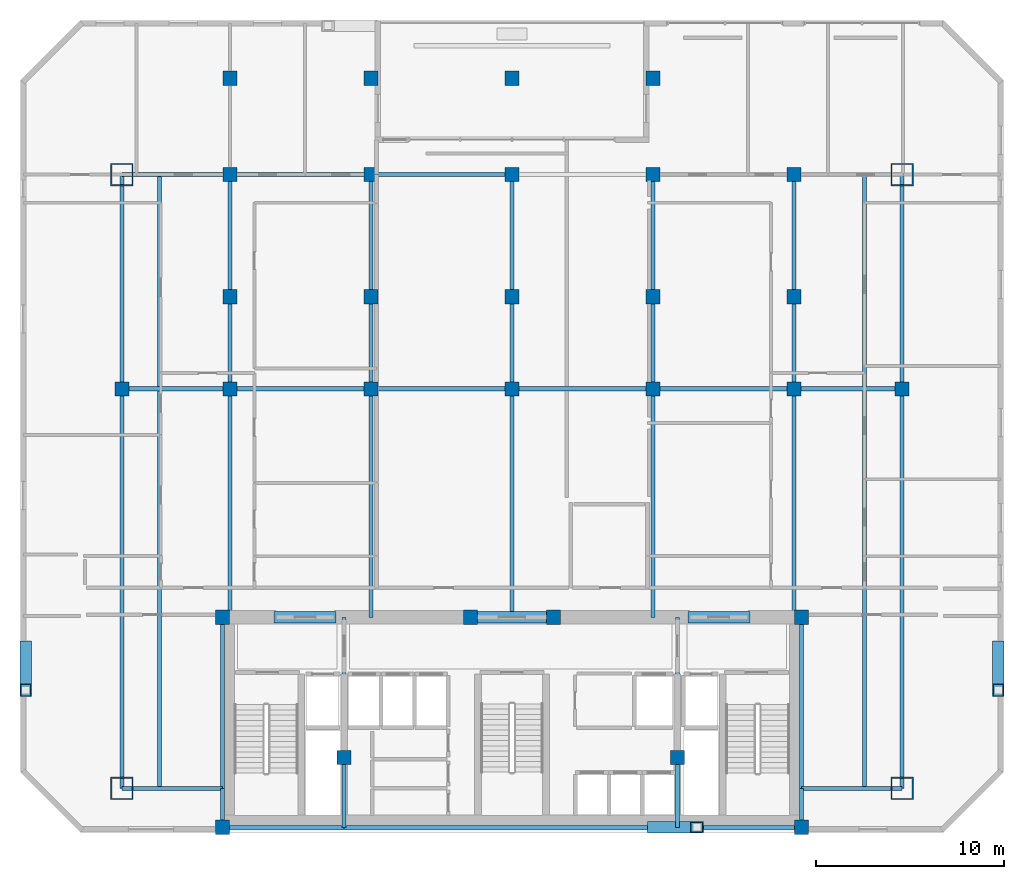
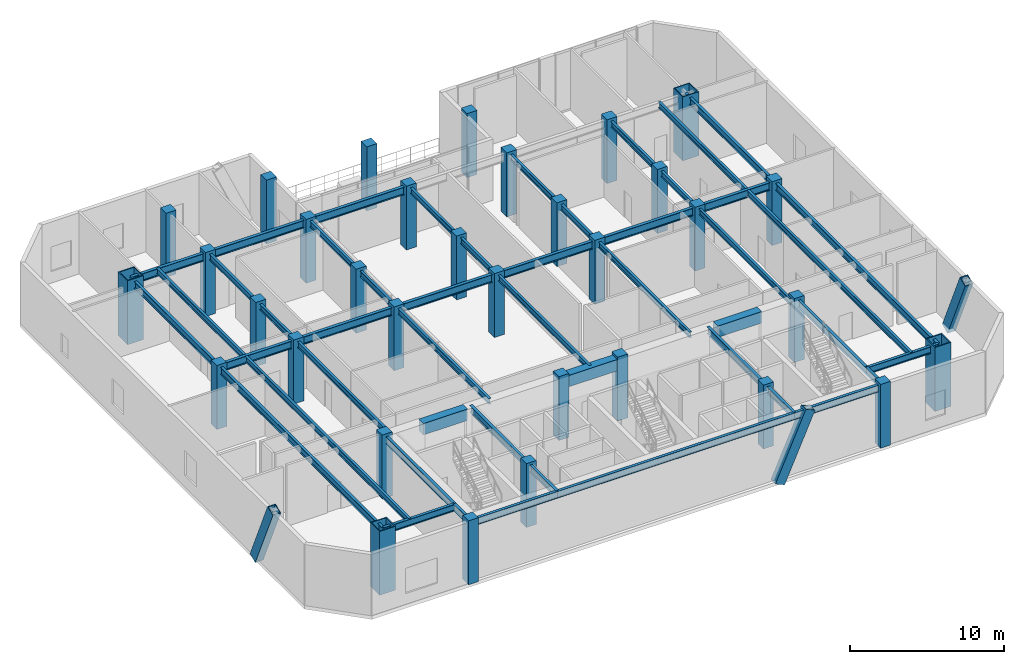
# One storey, part 1 of 11: 43 beams, 33 columns, 3 members.
"""IFC4 building model written with IfcOpenShell, lengths in metres."""

from ifc_helpers import new_model, si_unit, direction, frame, origin, origin_2d, place, context, subcontext, project, spatial, rectangle, hollow_rectangle, i_section, extrude, material, material_profile, profile_set, type_object, element, save


model = new_model("IFC4")

# Units and contexts
model_context = context("Model", 3, precision=1e-05, world=origin(), true_north=direction((0.0, 1.0)))
body_context = subcontext(model_context, "Body", "Model", "MODEL_VIEW")
ifc_project = project(units=[si_unit("LENGTHUNIT", "METRE"), si_unit("AREAUNIT", "SQUARE_METRE"), si_unit("VOLUMEUNIT", "CUBIC_METRE"), si_unit("PLANEANGLEUNIT", "RADIAN"), si_unit("MASSUNIT", "GRAM", prefix="KILO")], contexts=[model_context])

# Site, building, storey
site_placement = place(None, origin())
site = spatial("IfcSite", under=ifc_project, at=site_placement, CompositionType="ELEMENT")
building_placement = place(site_placement, origin())
building = spatial("IfcBuilding", under=site, at=building_placement, Name="Ventersveld Concourse Tower", CompositionType="ELEMENT")
storey_placement = place(building_placement, frame((0.0, 0.0, 140.14990234375)))
storey = spatial("IfcBuildingStorey", under=building, at=storey_placement, Name="L34", CompositionType="ELEMENT", Elevation=140.14990234375)

# Columns
ifc_material_1 = material(Name="Concrete C50/60", Category="concrete")
ifc_material_profile_1 = material_profile(ifc_material_1, rectangle(XDim=0.75, YDim=0.75, at=origin_2d()), Name="RC 750x750")
ifc_profile_set_1 = profile_set([ifc_material_profile_1], Name="Concrete C50/60")
column_type_1 = type_object("IfcColumnType", Name="COL-RC750", PredefinedType="COLUMN", material=ifc_profile_set_1)
for number, where, z_axis, x_axis, name in (
    (1, (13.35009765625, 0.280029296875, 0.0), (0.0, 0.0, 1.0), (1.0, 0.0, 0.0), "L34 Core Spine Column CC-SW"),
    (2, (44.14990234375, 0.280029296875, 0.0), (0.0, 0.0, 1.0), (1.0, 0.0, 0.0), "L34 Core Spine Column CC-SE"),
    (3, (13.35009765625, 11.449951171875, 0.0), (0.0, 0.0, 1.0), (1.0, 0.0, 0.0), "L34 Core Spine Column CC-NW"),
    (4, (44.14990234375, 11.449951171875, 0.0), (0.0, 0.0, 1.0), (1.0, 0.0, 0.0), "L34 Core Spine Column CC-NE"),
    (5, (19.820068359375, 4.0, 0.0), (0.0, 0.0, 1.0), (1.0, 0.0, 0.0), "L34 Core Spine Column CM-1"),
    (6, (37.550048828125, 4.0, 0.0), (0.0, 0.0, 1.0), (1.0, 0.0, 0.0), "L34 Core Spine Column CM-2"),
    (7, (26.550048828125, 11.449951171875, 0.0), (0.0, 0.0, 1.0), (1.0, 0.0, 0.0), "L34 Core Spine Column CM-3"),
    (8, (30.949951171875, 11.449951171875, 0.0), (0.0, 0.0, 1.0), (1.0, 0.0, 0.0), "L34 Core Spine Column CM-4"),
    (9, (8.0, 23.60009765625, 0.0), (0.0, 0.0, 1.0), (1.0, 0.0, 0.0), "L34 Interior Gravity Column X=8.00 Y=23.60"),
    (10, (13.75, 23.60009765625, 0.0), (0.0, 0.0, 1.0), (1.0, 0.0, 0.0), "L34 Interior Gravity Column X=13.75 Y=23.60"),
    (11, (21.25, 23.60009765625, 0.0), (0.0, 0.0, 1.0), (1.0, 0.0, 0.0), "L34 Interior Gravity Column X=21.25 Y=23.60"),
    (12, (28.75, 23.60009765625, 0.0), (0.0, 0.0, 1.0), (1.0, 0.0, 0.0), "L34 Interior Gravity Column X=28.75 Y=23.60"),
    (13, (36.25, 23.60009765625, 0.0), (0.0, 0.0, 1.0), (1.0, 0.0, 0.0), "L34 Interior Gravity Column X=36.25 Y=23.60"),
    (14, (43.75, 23.60009765625, 0.0), (0.0, 0.0, 1.0), (1.0, 0.0, 0.0), "L34 Interior Gravity Column X=43.75 Y=23.60"),
    (15, (49.5, 23.60009765625, 0.0), (0.0, 0.0, 1.0), (1.0, 0.0, 0.0), "L34 Interior Gravity Column X=49.50 Y=23.60"),
    (16, (13.75, 28.5, 0.0), (0.0, 0.0, 1.0), (1.0, 0.0, 0.0), "L34 Upper-North Gravity Column X=13.75 Y=28.50"),
    (17, (21.25, 28.5, 0.0), (0.0, 0.0, 1.0), (1.0, 0.0, 0.0), "L34 Upper-North Gravity Column X=21.25 Y=28.50"),
    (18, (28.75, 28.5, 0.0), (0.0, 0.0, 1.0), (1.0, 0.0, 0.0), "L34 Upper-North Gravity Column X=28.75 Y=28.50"),
    (19, (36.25, 28.5, 0.0), (0.0, 0.0, 1.0), (1.0, 0.0, 0.0), "L34 Upper-North Gravity Column X=36.25 Y=28.50"),
    (20, (43.75, 28.5, 0.0), (0.0, 0.0, 1.0), (1.0, 0.0, 0.0), "L34 Upper-North Gravity Column X=43.75 Y=28.50"),
    (21, (13.75, 40.1201171875, 0.0), (0.0, 0.0, 1.0), (1.0, 0.0, 0.0), "L34 North Brace Node Column X=13.75 Y=40.12"),
    (22, (21.25, 40.1201171875, 0.0), (0.0, 0.0, 1.0), (1.0, 0.0, 0.0), "L34 North Brace Node Column X=21.25 Y=40.12"),
    (23, (28.75, 40.1201171875, 0.0), (0.0, 0.0, 1.0), (1.0, 0.0, 0.0), "L34 North Brace Node Column X=28.75 Y=40.12"),
    (24, (36.25, 40.1201171875, 0.0), (0.0, 0.0, 1.0), (1.0, 0.0, 0.0), "L34 North Brace Node Column X=36.25 Y=40.12"),
    (25, (13.75, 35.0, 0.0), (0.0, 0.0, 1.0), (1.0, 0.0, 0.0), "L34 Mid-North Column X=13.75 Y=35.00"),
    (26, (21.25, 35.0, 0.0), (0.0, 0.0, 1.0), (1.0, 0.0, 0.0), "L34 Mid-North Column X=21.25 Y=35.00"),
    (27, (28.75, 35.0, 0.0), (0.0, 0.0, 1.0), (1.0, 0.0, 0.0), "L34 Mid-North Column X=28.75 Y=35.00"),
    (28, (36.25, 35.0, 0.0), (0.0, 0.0, 1.0), (1.0, 0.0, 0.0), "L34 Mid-North Column X=36.25 Y=35.00"),
    (29, (43.75, 35.0, 0.0), (0.0, 0.0, 1.0), (1.0, 0.0, 0.0), "L34 Mid-North Column X=43.75 Y=35.00"),
):
    element("IfcColumn", number, at=place(storey_placement, frame(where, z_axis=z_axis, x_axis=x_axis)), inside=storey, type_object=column_type_1, Name=name, PredefinedType="COLUMN", context=body_context, shape_type="SweptSolid", body=[
        extrude(rectangle(XDim=0.75, YDim=0.75, at=origin_2d()), origin(), (0.0, 0.0, 1.0), 5.050048828125),
    ])
ifc_material_2 = material(Name="Structural steel S460ML", Category="steel")
ifc_material_profile_2 = material_profile(ifc_material_2, hollow_rectangle(XDim=1.199951171875, YDim=1.199951171875, WallThickness=0.070068359375, at=origin_2d()), Name="BOX 1200x1200x70")
ifc_profile_set_2 = profile_set([ifc_material_profile_2], Name="Structural steel S460ML")
column_type_2 = type_object("IfcColumnType", Name="MC-1200", PredefinedType="USERDEFINED", material=ifc_profile_set_2)
for number, where, z_axis, x_axis, name in (
    (30, (8.0, 2.35009765625, 0.0), (0.0, 0.0, 1.0), (1.0, 0.0, 0.0), "L34 Corner Mega-Column MC-SW"),
    (31, (49.5, 2.35009765625, 0.0), (0.0, 0.0, 1.0), (1.0, 0.0, 0.0), "L34 Corner Mega-Column MC-SE"),
    (32, (49.5, 35.0, 0.0), (0.0, 0.0, 1.0), (1.0, 0.0, 0.0), "L34 Corner Mega-Column MC-NE"),
    (33, (8.0, 35.0, 0.0), (0.0, 0.0, 1.0), (1.0, 0.0, 0.0), "L34 Corner Mega-Column MC-NW"),
):
    element("IfcColumn", number, at=place(storey_placement, frame(where, z_axis=z_axis, x_axis=x_axis)), inside=storey, type_object=column_type_2, Name=name, ObjectType="MEGA_COLUMN", PredefinedType="USERDEFINED", context=body_context, shape_type="SweptSolid", body=[
        extrude(hollow_rectangle(XDim=1.199951171875, YDim=1.199951171875, WallThickness=0.070068359375, at=origin_2d()), origin(), (0.0, 0.0, 1.0), 5.050048828125),
    ])

# Beams
ifc_material_3 = material(Name="Structural steel S355J2", Category="steel")
ifc_material_profile_3 = material_profile(ifc_material_3, i_section(OverallWidth=0.18994140625, OverallDepth=0.453369140625, WebThickness=0.008544921875, FlangeThickness=0.0126953125, FilletRadius=0.01025390625, at=origin_2d()), Name="UB 457x191x67")
ifc_profile_set_3 = profile_set([ifc_material_profile_3], Name="Structural steel S355J2")
beam_type_1 = type_object("IfcBeamType", Name="BM-UB457", PredefinedType="BEAM", material=ifc_profile_set_3)
beam_1_placement = place(storey_placement, frame((10.0, 2.35009765625, 4.603515625), z_axis=(0.0, 1.0, 0.0), x_axis=(-1.0, 0.0, 0.0)))
element("IfcBeam", 34, at=beam_1_placement, inside=storey, type_object=beam_type_1, Name="L34 N-S Composite Floor Beam South X=10.00", PredefinedType="BEAM", context=body_context, shape_type="SweptSolid", body=[
    extrude(i_section(OverallWidth=0.18994140625, OverallDepth=0.453369140625, WebThickness=0.008544921875, FlangeThickness=0.0126953125, FilletRadius=0.01025390625, at=origin_2d()), origin(), (0.0, 0.0, 1.0), 21.15478515625),
])
beam_2_placement = place(storey_placement, frame((10.0, 23.695068359375, 4.603515625), z_axis=(0.0, 1.0, 0.0), x_axis=(-1.0, 0.0, 0.0)))
element("IfcBeam", 35, at=beam_2_placement, inside=storey, type_object=beam_type_1, Name="L34 N-S Composite Floor Beam Mid X=10.00", PredefinedType="BEAM", context=body_context, shape_type="SweptSolid", body=[
    extrude(i_section(OverallWidth=0.18994140625, OverallDepth=0.453369140625, WebThickness=0.008544921875, FlangeThickness=0.0126953125, FilletRadius=0.01025390625, at=origin_2d()), origin(), (0.0, 0.0, 1.0), 11.304931640625),
])
beam_3_placement = place(storey_placement, frame((13.75, 11.449951171875, 4.603515625), z_axis=(0.0, 1.0, 0.0), x_axis=(-1.0, 0.0, 0.0)))
element("IfcBeam", 36, at=beam_3_placement, inside=storey, type_object=beam_type_1, Name="L34 N-S Composite Floor Beam South X=13.75", PredefinedType="BEAM", context=body_context, shape_type="SweptSolid", body=[
    extrude(i_section(OverallWidth=0.18994140625, OverallDepth=0.453369140625, WebThickness=0.008544921875, FlangeThickness=0.0126953125, FilletRadius=0.01025390625, at=origin_2d()), origin(), (0.0, 0.0, 1.0), 12.150146484375),
])
beam_4_placement = place(storey_placement, frame((13.75, 23.60009765625, 4.603515625), z_axis=(0.0, 1.0, 0.0), x_axis=(-1.0, 0.0, 0.0)))
element("IfcBeam", 37, at=beam_4_placement, inside=storey, type_object=beam_type_1, Name="L34 N-S Composite Floor Beam Mid X=13.75", PredefinedType="BEAM", context=body_context, shape_type="SweptSolid", body=[
    extrude(i_section(OverallWidth=0.18994140625, OverallDepth=0.453369140625, WebThickness=0.008544921875, FlangeThickness=0.0126953125, FilletRadius=0.01025390625, at=origin_2d()), origin(), (0.0, 0.0, 1.0), 11.39990234375),
])
beam_5_placement = place(storey_placement, frame((21.25, 11.449951171875, 4.603515625), z_axis=(0.0, 1.0, 0.0), x_axis=(-1.0, 0.0, 0.0)))
element("IfcBeam", 38, at=beam_5_placement, inside=storey, type_object=beam_type_1, Name="L34 N-S Composite Floor Beam South X=21.25", PredefinedType="BEAM", context=body_context, shape_type="SweptSolid", body=[
    extrude(i_section(OverallWidth=0.18994140625, OverallDepth=0.453369140625, WebThickness=0.008544921875, FlangeThickness=0.0126953125, FilletRadius=0.01025390625, at=origin_2d()), origin(), (0.0, 0.0, 1.0), 12.150146484375),
])
beam_6_placement = place(storey_placement, frame((21.25, 23.60009765625, 4.603515625), z_axis=(0.0, 1.0, 0.0), x_axis=(-1.0, 0.0, 0.0)))
element("IfcBeam", 39, at=beam_6_placement, inside=storey, type_object=beam_type_1, Name="L34 N-S Composite Floor Beam Mid X=21.25", PredefinedType="BEAM", context=body_context, shape_type="SweptSolid", body=[
    extrude(i_section(OverallWidth=0.18994140625, OverallDepth=0.453369140625, WebThickness=0.008544921875, FlangeThickness=0.0126953125, FilletRadius=0.01025390625, at=origin_2d()), origin(), (0.0, 0.0, 1.0), 11.39990234375),
])
beam_7_placement = place(storey_placement, frame((28.75, 11.449951171875, 4.603515625), z_axis=(0.0, 1.0, 0.0), x_axis=(-1.0, 0.0, 0.0)))
element("IfcBeam", 40, at=beam_7_placement, inside=storey, type_object=beam_type_1, Name="L34 N-S Composite Floor Beam South X=28.75", PredefinedType="BEAM", context=body_context, shape_type="SweptSolid", body=[
    extrude(i_section(OverallWidth=0.18994140625, OverallDepth=0.453369140625, WebThickness=0.008544921875, FlangeThickness=0.0126953125, FilletRadius=0.01025390625, at=origin_2d()), origin(), (0.0, 0.0, 1.0), 12.150146484375),
])
beam_8_placement = place(storey_placement, frame((28.75, 23.60009765625, 4.603515625), z_axis=(0.0, 1.0, 0.0), x_axis=(-1.0, 0.0, 0.0)))
element("IfcBeam", 41, at=beam_8_placement, inside=storey, type_object=beam_type_1, Name="L34 N-S Composite Floor Beam Mid X=28.75", PredefinedType="BEAM", context=body_context, shape_type="SweptSolid", body=[
    extrude(i_section(OverallWidth=0.18994140625, OverallDepth=0.453369140625, WebThickness=0.008544921875, FlangeThickness=0.0126953125, FilletRadius=0.01025390625, at=origin_2d()), origin(), (0.0, 0.0, 1.0), 11.39990234375),
])
beam_9_placement = place(storey_placement, frame((36.25, 11.449951171875, 4.603515625), z_axis=(0.0, 1.0, 0.0), x_axis=(-1.0, 0.0, 0.0)))
element("IfcBeam", 42, at=beam_9_placement, inside=storey, type_object=beam_type_1, Name="L34 N-S Composite Floor Beam South X=36.25", PredefinedType="BEAM", context=body_context, shape_type="SweptSolid", body=[
    extrude(i_section(OverallWidth=0.18994140625, OverallDepth=0.453369140625, WebThickness=0.008544921875, FlangeThickness=0.0126953125, FilletRadius=0.01025390625, at=origin_2d()), origin(), (0.0, 0.0, 1.0), 12.150146484375),
])
beam_10_placement = place(storey_placement, frame((36.25, 23.60009765625, 4.603515625), z_axis=(0.0, 1.0, 0.0), x_axis=(-1.0, 0.0, 0.0)))
element("IfcBeam", 43, at=beam_10_placement, inside=storey, type_object=beam_type_1, Name="L34 N-S Composite Floor Beam Mid X=36.25", PredefinedType="BEAM", context=body_context, shape_type="SweptSolid", body=[
    extrude(i_section(OverallWidth=0.18994140625, OverallDepth=0.453369140625, WebThickness=0.008544921875, FlangeThickness=0.0126953125, FilletRadius=0.01025390625, at=origin_2d()), origin(), (0.0, 0.0, 1.0), 11.39990234375),
])
beam_11_placement = place(storey_placement, frame((43.75, 11.449951171875, 4.603515625), z_axis=(0.0, 1.0, 0.0), x_axis=(-1.0, 0.0, 0.0)))
element("IfcBeam", 44, at=beam_11_placement, inside=storey, type_object=beam_type_1, Name="L34 N-S Composite Floor Beam South X=43.75", PredefinedType="BEAM", context=body_context, shape_type="SweptSolid", body=[
    extrude(i_section(OverallWidth=0.18994140625, OverallDepth=0.453369140625, WebThickness=0.008544921875, FlangeThickness=0.0126953125, FilletRadius=0.01025390625, at=origin_2d()), origin(), (0.0, 0.0, 1.0), 12.150146484375),
])
beam_12_placement = place(storey_placement, frame((43.75, 23.60009765625, 4.603515625), z_axis=(0.0, 1.0, 0.0), x_axis=(-1.0, 0.0, 0.0)))
element("IfcBeam", 45, at=beam_12_placement, inside=storey, type_object=beam_type_1, Name="L34 N-S Composite Floor Beam Mid X=43.75", PredefinedType="BEAM", context=body_context, shape_type="SweptSolid", body=[
    extrude(i_section(OverallWidth=0.18994140625, OverallDepth=0.453369140625, WebThickness=0.008544921875, FlangeThickness=0.0126953125, FilletRadius=0.01025390625, at=origin_2d()), origin(), (0.0, 0.0, 1.0), 11.39990234375),
])
beam_13_placement = place(storey_placement, frame((47.5, 2.35009765625, 4.603515625), z_axis=(0.0, 1.0, 0.0), x_axis=(-1.0, 0.0, 0.0)))
element("IfcBeam", 46, at=beam_13_placement, inside=storey, type_object=beam_type_1, Name="L34 N-S Composite Floor Beam South X=47.50", PredefinedType="BEAM", context=body_context, shape_type="SweptSolid", body=[
    extrude(i_section(OverallWidth=0.18994140625, OverallDepth=0.453369140625, WebThickness=0.008544921875, FlangeThickness=0.0126953125, FilletRadius=0.01025390625, at=origin_2d()), origin(), (0.0, 0.0, 1.0), 21.15478515625),
])
beam_14_placement = place(storey_placement, frame((47.5, 23.695068359375, 4.603515625), z_axis=(0.0, 1.0, 0.0), x_axis=(-1.0, 0.0, 0.0)))
element("IfcBeam", 47, at=beam_14_placement, inside=storey, type_object=beam_type_1, Name="L34 N-S Composite Floor Beam Mid X=47.50", PredefinedType="BEAM", context=body_context, shape_type="SweptSolid", body=[
    extrude(i_section(OverallWidth=0.18994140625, OverallDepth=0.453369140625, WebThickness=0.008544921875, FlangeThickness=0.0126953125, FilletRadius=0.01025390625, at=origin_2d()), origin(), (0.0, 0.0, 1.0), 11.304931640625),
])
ifc_material_4 = material(Name="Concrete C60/75", Category="concrete")
ifc_material_profile_4 = material_profile(ifc_material_4, rectangle(XDim=0.60009765625, YDim=0.89990234375, at=origin_2d()), Name="RC 600x900")
ifc_profile_set_4 = profile_set([ifc_material_profile_4], Name="Concrete C60/75")
beam_type_2 = type_object("IfcBeamType", Name="CB-RC600x900L", PredefinedType="LINTEL", material=ifc_profile_set_4)
beam_15_placement = place(storey_placement, frame((16.10009765625, 11.449951171875, 4.380126953125), z_axis=(1.0, 0.0, 0.0), x_axis=(0.0, 1.0, 0.0)))
element("IfcBeam", 48, at=beam_15_placement, inside=storey, type_object=beam_type_2, Name="L34 Core Coupling Lintel Beam 1", PredefinedType="LINTEL", context=body_context, shape_type="SweptSolid", body=[
    extrude(rectangle(XDim=0.60009765625, YDim=0.89990234375, at=origin_2d()), origin(), (0.0, 0.0, 1.0), 3.2998046875),
])
beam_16_placement = place(storey_placement, frame((26.5, 11.449951171875, 4.380126953125), z_axis=(1.0, 0.0, 0.0), x_axis=(0.0, 1.0, 0.0)))
element("IfcBeam", 49, at=beam_16_placement, inside=storey, type_object=beam_type_2, Name="L34 Core Coupling Lintel Beam 2", PredefinedType="LINTEL", context=body_context, shape_type="SweptSolid", body=[
    extrude(rectangle(XDim=0.60009765625, YDim=0.89990234375, at=origin_2d()), origin(), (0.0, 0.0, 1.0), 4.5),
])
beam_17_placement = place(storey_placement, frame((38.10009765625, 11.449951171875, 4.380126953125), z_axis=(1.0, 0.0, 0.0), x_axis=(0.0, 1.0, 0.0)))
element("IfcBeam", 50, at=beam_17_placement, inside=storey, type_object=beam_type_2, Name="L34 Core Coupling Lintel Beam 3", PredefinedType="LINTEL", context=body_context, shape_type="SweptSolid", body=[
    extrude(rectangle(XDim=0.60009765625, YDim=0.89990234375, at=origin_2d()), origin(), (0.0, 0.0, 1.0), 3.2998046875),
])
ifc_material_profile_5 = material_profile(ifc_material_3, i_section(OverallWidth=0.2119140625, OverallDepth=0.54443359375, WebThickness=0.0126953125, FlangeThickness=0.021240234375, FilletRadius=0.0126953125, at=origin_2d()), Name="UB 533x210x122")
ifc_profile_set_5 = profile_set([ifc_material_profile_5], Name="Structural steel S355J2")
beam_type_3 = type_object("IfcBeamType", Name="GRD-UB533H", PredefinedType="T_BEAM", material=ifc_profile_set_5)
beam_18_placement = place(storey_placement, frame((13.35009765625, 0.280029296875, 4.557861328125), z_axis=(0.0, 1.0, 0.0), x_axis=(-1.0, 0.0, 0.0)))
element("IfcBeam", 51, at=beam_18_placement, inside=storey, type_object=beam_type_3, Name="L34 Core West Tie Beam S", PredefinedType="T_BEAM", context=body_context, shape_type="SweptSolid", body=[
    extrude(i_section(OverallWidth=0.2119140625, OverallDepth=0.54443359375, WebThickness=0.0126953125, FlangeThickness=0.021240234375, FilletRadius=0.0126953125, at=origin_2d()), origin(), (0.0, 0.0, 1.0), 2.070068359375),
])
beam_19_placement = place(storey_placement, frame((13.35009765625, 2.35009765625, 4.557861328125), z_axis=(0.0, 1.0, 0.0), x_axis=(-1.0, 0.0, 0.0)))
element("IfcBeam", 52, at=beam_19_placement, inside=storey, type_object=beam_type_3, Name="L34 Core West Tie Beam N", PredefinedType="T_BEAM", context=body_context, shape_type="SweptSolid", body=[
    extrude(i_section(OverallWidth=0.2119140625, OverallDepth=0.54443359375, WebThickness=0.0126953125, FlangeThickness=0.021240234375, FilletRadius=0.0126953125, at=origin_2d()), origin(), (0.0, 0.0, 1.0), 9.099853515625),
])
beam_20_placement = place(storey_placement, frame((44.14990234375, 0.280029296875, 4.557861328125), z_axis=(0.0, 1.0, 0.0), x_axis=(-1.0, 0.0, 0.0)))
element("IfcBeam", 53, at=beam_20_placement, inside=storey, type_object=beam_type_3, Name="L34 Core East Tie Beam S", PredefinedType="T_BEAM", context=body_context, shape_type="SweptSolid", body=[
    extrude(i_section(OverallWidth=0.2119140625, OverallDepth=0.54443359375, WebThickness=0.0126953125, FlangeThickness=0.021240234375, FilletRadius=0.0126953125, at=origin_2d()), origin(), (0.0, 0.0, 1.0), 2.070068359375),
])
beam_21_placement = place(storey_placement, frame((44.14990234375, 2.35009765625, 4.557861328125), z_axis=(0.0, 1.0, 0.0), x_axis=(-1.0, 0.0, 0.0)))
element("IfcBeam", 54, at=beam_21_placement, inside=storey, type_object=beam_type_3, Name="L34 Core East Tie Beam N", PredefinedType="T_BEAM", context=body_context, shape_type="SweptSolid", body=[
    extrude(i_section(OverallWidth=0.2119140625, OverallDepth=0.54443359375, WebThickness=0.0126953125, FlangeThickness=0.021240234375, FilletRadius=0.0126953125, at=origin_2d()), origin(), (0.0, 0.0, 1.0), 9.099853515625),
])
beam_22_placement = place(storey_placement, frame((13.35009765625, 0.280029296875, 4.557861328125), z_axis=(1.0, 0.0, 0.0), x_axis=(0.0, 1.0, 0.0)))
element("IfcBeam", 55, at=beam_22_placement, inside=storey, type_object=beam_type_3, Name="L34 Core South Tie Beam W", PredefinedType="T_BEAM", context=body_context, shape_type="SweptSolid", body=[
    extrude(i_section(OverallWidth=0.2119140625, OverallDepth=0.54443359375, WebThickness=0.0126953125, FlangeThickness=0.021240234375, FilletRadius=0.0126953125, at=origin_2d()), origin(), (0.0, 0.0, 1.0), 6.469970703125),
])
beam_23_placement = place(storey_placement, frame((19.820068359375, 0.280029296875, 4.557861328125), z_axis=(1.0, 0.0, 0.0), x_axis=(0.0, 1.0, 0.0)))
element("IfcBeam", 56, at=beam_23_placement, inside=storey, type_object=beam_type_3, Name="L34 Core South Tie Beam C", PredefinedType="T_BEAM", context=body_context, shape_type="SweptSolid", body=[
    extrude(i_section(OverallWidth=0.2119140625, OverallDepth=0.54443359375, WebThickness=0.0126953125, FlangeThickness=0.021240234375, FilletRadius=0.0126953125, at=origin_2d()), origin(), (0.0, 0.0, 1.0), 17.72998046875),
])
beam_24_placement = place(storey_placement, frame((37.550048828125, 0.280029296875, 4.557861328125), z_axis=(1.0, 0.0, 0.0), x_axis=(0.0, 1.0, 0.0)))
element("IfcBeam", 57, at=beam_24_placement, inside=storey, type_object=beam_type_3, Name="L34 Core South Tie Beam E", PredefinedType="T_BEAM", context=body_context, shape_type="SweptSolid", body=[
    extrude(i_section(OverallWidth=0.2119140625, OverallDepth=0.54443359375, WebThickness=0.0126953125, FlangeThickness=0.021240234375, FilletRadius=0.0126953125, at=origin_2d()), origin(), (0.0, 0.0, 1.0), 6.599853515625),
])
beam_25_placement = place(storey_placement, frame((19.820068359375, 0.280029296875, 4.557861328125), z_axis=(0.0, 1.0, 0.0), x_axis=(-1.0, 0.0, 0.0)))
element("IfcBeam", 58, at=beam_25_placement, inside=storey, type_object=beam_type_3, Name="L34 Core Spine N-S Tie Beam W1", PredefinedType="T_BEAM", context=body_context, shape_type="SweptSolid", body=[
    extrude(i_section(OverallWidth=0.2119140625, OverallDepth=0.54443359375, WebThickness=0.0126953125, FlangeThickness=0.021240234375, FilletRadius=0.0126953125, at=origin_2d()), origin(), (0.0, 0.0, 1.0), 3.719970703125),
])
beam_26_placement = place(storey_placement, frame((19.820068359375, 4.0, 4.557861328125), z_axis=(0.0, 1.0, 0.0), x_axis=(-1.0, 0.0, 0.0)))
element("IfcBeam", 59, at=beam_26_placement, inside=storey, type_object=beam_type_3, Name="L34 Core Spine N-S Tie Beam W2", PredefinedType="T_BEAM", context=body_context, shape_type="SweptSolid", body=[
    extrude(i_section(OverallWidth=0.2119140625, OverallDepth=0.54443359375, WebThickness=0.0126953125, FlangeThickness=0.021240234375, FilletRadius=0.0126953125, at=origin_2d()), origin(), (0.0, 0.0, 1.0), 7.449951171875),
])
beam_27_placement = place(storey_placement, frame((37.550048828125, 0.280029296875, 4.557861328125), z_axis=(0.0, 1.0, 0.0), x_axis=(-1.0, 0.0, 0.0)))
element("IfcBeam", 60, at=beam_27_placement, inside=storey, type_object=beam_type_3, Name="L34 Core Spine N-S Tie Beam E1", PredefinedType="T_BEAM", context=body_context, shape_type="SweptSolid", body=[
    extrude(i_section(OverallWidth=0.2119140625, OverallDepth=0.54443359375, WebThickness=0.0126953125, FlangeThickness=0.021240234375, FilletRadius=0.0126953125, at=origin_2d()), origin(), (0.0, 0.0, 1.0), 3.719970703125),
])
beam_28_placement = place(storey_placement, frame((37.550048828125, 4.0, 4.557861328125), z_axis=(0.0, 1.0, 0.0), x_axis=(-1.0, 0.0, 0.0)))
element("IfcBeam", 61, at=beam_28_placement, inside=storey, type_object=beam_type_3, Name="L34 Core Spine N-S Tie Beam E2", PredefinedType="T_BEAM", context=body_context, shape_type="SweptSolid", body=[
    extrude(i_section(OverallWidth=0.2119140625, OverallDepth=0.54443359375, WebThickness=0.0126953125, FlangeThickness=0.021240234375, FilletRadius=0.0126953125, at=origin_2d()), origin(), (0.0, 0.0, 1.0), 7.449951171875),
])
ifc_material_profile_6 = material_profile(ifc_material_3, i_section(OverallWidth=0.230224609375, OverallDepth=0.6171875, WebThickness=0.01318359375, FlangeThickness=0.022216796875, FilletRadius=0.0126953125, at=origin_2d()), Name="UB 610x229x140")
ifc_profile_set_6 = profile_set([ifc_material_profile_6], Name="Structural steel S355J2")
beam_type_4 = type_object("IfcBeamType", Name="GRD-UB610", PredefinedType="USERDEFINED", material=ifc_profile_set_6)
beam_29_placement = place(storey_placement, frame((8.0, 23.60009765625, 4.521484375), z_axis=(1.0, 0.0, 0.0), x_axis=(0.0, 1.0, 0.0)))
element("IfcBeam", 62, at=beam_29_placement, inside=storey, type_object=beam_type_4, Name="L34 Primary E-W Grid Girder Y=23.60 #1", ObjectType="GIRDER", PredefinedType="USERDEFINED", context=body_context, shape_type="SweptSolid", body=[
    extrude(i_section(OverallWidth=0.230224609375, OverallDepth=0.6171875, WebThickness=0.01318359375, FlangeThickness=0.022216796875, FilletRadius=0.0126953125, at=origin_2d()), origin(), (0.0, 0.0, 1.0), 5.75),
])
for number, where, z_axis, x_axis, name in (
    (63, (13.75, 23.60009765625, 4.521484375), (1.0, 0.0, 0.0), (0.0, 1.0, 0.0), "L34 Primary E-W Grid Girder Y=23.60 #2"),
    (64, (21.25, 23.60009765625, 4.521484375), (1.0, 0.0, 0.0), (0.0, 1.0, 0.0), "L34 Primary E-W Grid Girder Y=23.60 #3"),
    (65, (28.75, 23.60009765625, 4.521484375), (1.0, 0.0, 0.0), (0.0, 1.0, 0.0), "L34 Primary E-W Grid Girder Y=23.60 #4"),
    (66, (36.25, 23.60009765625, 4.521484375), (1.0, 0.0, 0.0), (0.0, 1.0, 0.0), "L34 Primary E-W Grid Girder Y=23.60 #5"),
):
    element("IfcBeam", number, at=place(storey_placement, frame(where, z_axis=z_axis, x_axis=x_axis)), inside=storey, type_object=beam_type_4, Name=name, ObjectType="GIRDER", PredefinedType="USERDEFINED", context=body_context, shape_type="SweptSolid", body=[
        extrude(i_section(OverallWidth=0.230224609375, OverallDepth=0.6171875, WebThickness=0.01318359375, FlangeThickness=0.022216796875, FilletRadius=0.0126953125, at=origin_2d()), origin(), (0.0, 0.0, 1.0), 7.5),
    ])
for number, where, z_axis, x_axis, name in (
    (67, (43.75, 23.60009765625, 4.521484375), (1.0, 0.0, 0.0), (0.0, 1.0, 0.0), "L34 Primary E-W Grid Girder Y=23.60 #6"),
    (68, (8.0, 35.0, 4.521484375), (1.0, 0.0, 0.0), (0.0, 1.0, 0.0), "L34 E-W Grid Girder Y=35.00 #1"),
):
    element("IfcBeam", number, at=place(storey_placement, frame(where, z_axis=z_axis, x_axis=x_axis)), inside=storey, type_object=beam_type_4, Name=name, ObjectType="GIRDER", PredefinedType="USERDEFINED", context=body_context, shape_type="SweptSolid", body=[
        extrude(i_section(OverallWidth=0.230224609375, OverallDepth=0.6171875, WebThickness=0.01318359375, FlangeThickness=0.022216796875, FilletRadius=0.0126953125, at=origin_2d()), origin(), (0.0, 0.0, 1.0), 5.75),
    ])
for number, where, z_axis, x_axis, name in (
    (69, (13.75, 35.0, 4.521484375), (1.0, 0.0, 0.0), (0.0, 1.0, 0.0), "L34 E-W Grid Girder Y=35.00 #2"),
    (70, (21.25, 35.0, 4.521484375), (1.0, 0.0, 0.0), (0.0, 1.0, 0.0), "L34 E-W Grid Girder Y=35.00 #3"),
):
    element("IfcBeam", number, at=place(storey_placement, frame(where, z_axis=z_axis, x_axis=x_axis)), inside=storey, type_object=beam_type_4, Name=name, ObjectType="GIRDER", PredefinedType="USERDEFINED", context=body_context, shape_type="SweptSolid", body=[
        extrude(i_section(OverallWidth=0.230224609375, OverallDepth=0.6171875, WebThickness=0.01318359375, FlangeThickness=0.022216796875, FilletRadius=0.0126953125, at=origin_2d()), origin(), (0.0, 0.0, 1.0), 7.5),
    ])

# Members
ifc_material_5 = material(Name="Structural steel S355ML", Category="steel")
ifc_material_profile_7 = material_profile(ifc_material_5, hollow_rectangle(XDim=0.60009765625, YDim=0.75, WallThickness=0.0400390625, at=origin_2d()), Name="BOX 750x600x40")
ifc_profile_set_7 = profile_set([ifc_material_profile_7], Name="Structural steel S355ML")
member_type = type_object("IfcMemberType", Name="MB-750x600", PredefinedType="BRACE", material=ifc_profile_set_7)
member_placement = place(storey_placement, frame((36.300048828125, 0.280029296875, -0.27978515625), z_axis=(0.407696311466, 0.0, 0.913117581485), x_axis=(0.0, 1.0, 0.0)))
element("IfcMember", 71, at=member_placement, inside=storey, type_object=member_type, Name="L34 Exterior Mega-Brace S (Module M08)", PredefinedType="BRACE", context=body_context, shape_type="SweptSolid", body=[
    extrude(hollow_rectangle(XDim=0.60009765625, YDim=0.75, WallThickness=0.0400390625, at=origin_2d()), origin(), (0.0, 0.0, 1.0), 5.595947265625),
])
for number, where, z_axis, x_axis, name in (
    (72, (2.8798828125, 9.85009765625, -0.27978515625), (0.0, -0.407732686156, 0.913101339743), (1.0, 0.0, 0.0), "L34 Exterior Mega-Brace W (Module M08)"),
    (73, (54.6201171875, 9.85009765625, -0.27978515625), (0.0, -0.407732686156, 0.913101339743), (1.0, 0.0, 0.0), "L34 Exterior Mega-Brace E (Module M08)"),
):
    element("IfcMember", number, at=place(storey_placement, frame(where, z_axis=z_axis, x_axis=x_axis)), inside=storey, type_object=member_type, Name=name, PredefinedType="BRACE", context=body_context, shape_type="SweptSolid", body=[
        extrude(hollow_rectangle(XDim=0.60009765625, YDim=0.75, WallThickness=0.0400390625, at=origin_2d()), origin(), (0.0, 0.0, 1.0), 5.59619140625),
    ])

# Beams
ifc_material_profile_8 = material_profile(ifc_material_3, i_section(OverallWidth=0.2119140625, OverallDepth=0.54443359375, WebThickness=0.0126953125, FlangeThickness=0.021240234375, FilletRadius=0.0126953125, at=origin_2d()), Name="UB 533x210x122")
ifc_profile_set_8 = profile_set([ifc_material_profile_8], Name="Structural steel S355J2")
beam_type_5 = type_object("IfcBeamType", Name="SPD-UB533", PredefinedType="SPANDREL", material=ifc_profile_set_8)
for number, where, z_axis, x_axis, name in (
    (74, (8.0, 2.35009765625, 4.557861328125), (1.0, 0.0, 0.0), (0.0, 1.0, 0.0), "L34 SW Spandrel Beam"),
    (75, (44.14990234375, 2.35009765625, 4.557861328125), (1.0, 0.0, 0.0), (0.0, 1.0, 0.0), "L34 SE Spandrel Beam"),
):
    element("IfcBeam", number, at=place(storey_placement, frame(where, z_axis=z_axis, x_axis=x_axis)), inside=storey, type_object=beam_type_5, Name=name, PredefinedType="SPANDREL", context=body_context, shape_type="SweptSolid", body=[
        extrude(i_section(OverallWidth=0.2119140625, OverallDepth=0.54443359375, WebThickness=0.0126953125, FlangeThickness=0.021240234375, FilletRadius=0.0126953125, at=origin_2d()), origin(), (0.0, 0.0, 1.0), 5.35009765625),
    ])
beam_30_placement = place(storey_placement, frame((8.0, 2.35009765625, 4.557861328125), z_axis=(0.0, 1.0, 0.0), x_axis=(-1.0, 0.0, 0.0)))
element("IfcBeam", 76, at=beam_30_placement, inside=storey, type_object=beam_type_5, Name="L34 West Spandrel Beam S", PredefinedType="SPANDREL", context=body_context, shape_type="SweptSolid", body=[
    extrude(i_section(OverallWidth=0.2119140625, OverallDepth=0.54443359375, WebThickness=0.0126953125, FlangeThickness=0.021240234375, FilletRadius=0.0126953125, at=origin_2d()), origin(), (0.0, 0.0, 1.0), 21.25),
])
beam_31_placement = place(storey_placement, frame((8.0, 23.60009765625, 4.557861328125), z_axis=(0.0, 1.0, 0.0), x_axis=(-1.0, 0.0, 0.0)))
element("IfcBeam", 77, at=beam_31_placement, inside=storey, type_object=beam_type_5, Name="L34 West Spandrel Beam N", PredefinedType="SPANDREL", context=body_context, shape_type="SweptSolid", body=[
    extrude(i_section(OverallWidth=0.2119140625, OverallDepth=0.54443359375, WebThickness=0.0126953125, FlangeThickness=0.021240234375, FilletRadius=0.0126953125, at=origin_2d()), origin(), (0.0, 0.0, 1.0), 11.39990234375),
])
beam_32_placement = place(storey_placement, frame((49.5, 2.35009765625, 4.557861328125), z_axis=(0.0, 1.0, 0.0), x_axis=(-1.0, 0.0, 0.0)))
element("IfcBeam", 78, at=beam_32_placement, inside=storey, type_object=beam_type_5, Name="L34 East Spandrel Beam S", PredefinedType="SPANDREL", context=body_context, shape_type="SweptSolid", body=[
    extrude(i_section(OverallWidth=0.2119140625, OverallDepth=0.54443359375, WebThickness=0.0126953125, FlangeThickness=0.021240234375, FilletRadius=0.0126953125, at=origin_2d()), origin(), (0.0, 0.0, 1.0), 21.25),
])
beam_33_placement = place(storey_placement, frame((49.5, 23.60009765625, 4.557861328125), z_axis=(0.0, 1.0, 0.0), x_axis=(-1.0, 0.0, 0.0)))
element("IfcBeam", 79, at=beam_33_placement, inside=storey, type_object=beam_type_5, Name="L34 East Spandrel Beam N", PredefinedType="SPANDREL", context=body_context, shape_type="SweptSolid", body=[
    extrude(i_section(OverallWidth=0.2119140625, OverallDepth=0.54443359375, WebThickness=0.0126953125, FlangeThickness=0.021240234375, FilletRadius=0.0126953125, at=origin_2d()), origin(), (0.0, 0.0, 1.0), 11.39990234375),
])

save(model, "model.ifc")
